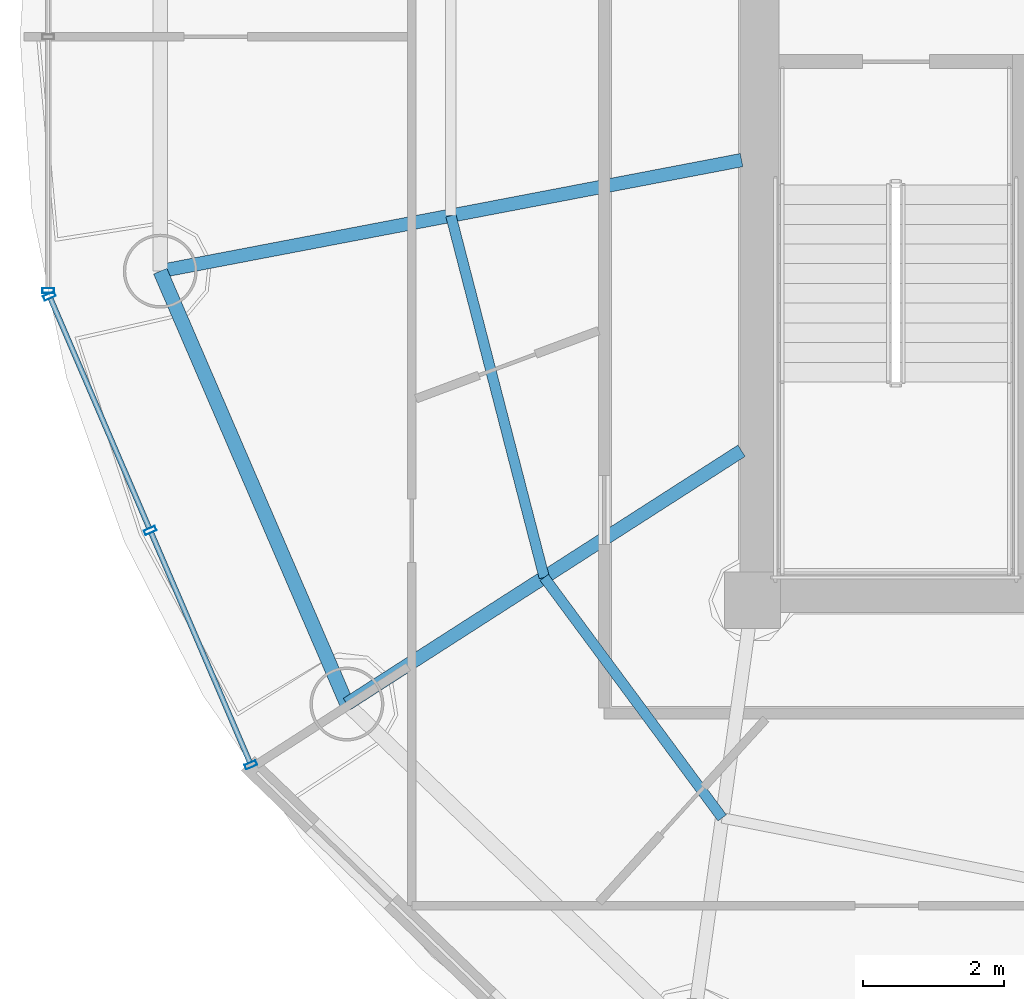
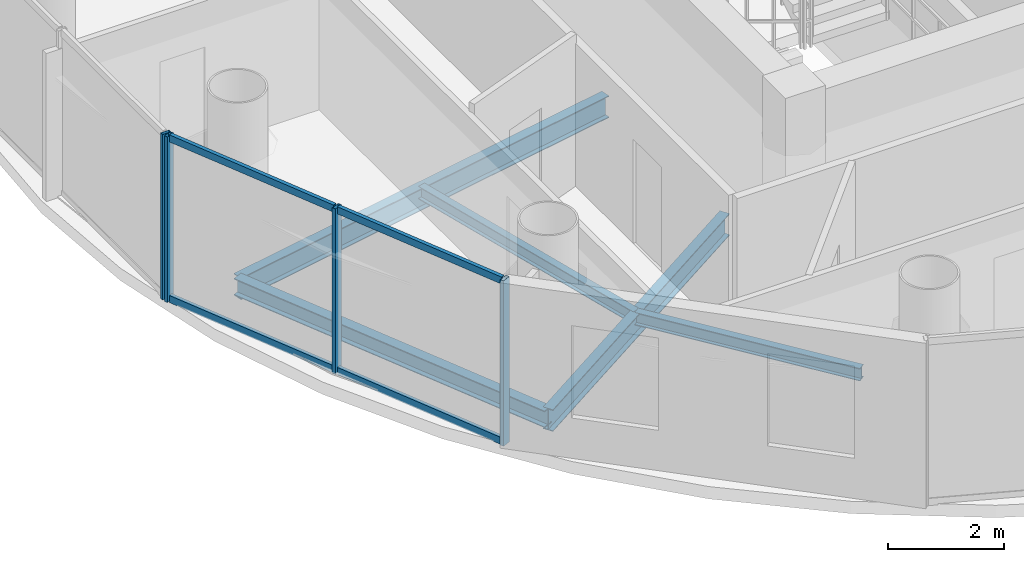
# One storey, part 3 of 21: 8 members, 5 beams, 2 elements without a shape of their own.
"""IFC4 building model written with IfcOpenShell, lengths in metres."""

from ifc_helpers import new_model, si_unit, direction, frame, origin, origin_2d, place, context, subcontext, project, spatial, hollow_rectangle, i_section, extrude, source, transform, mapped, material, material_profile, profile_set, type_object, element, aggregate, save


model = new_model("IFC4")

# Units and contexts
model_context = context("Model", 3, precision=1e-05, world=origin(), true_north=direction((-0.2419218956, 0.970295726276)))
body_context = subcontext(model_context, "Body", "Model", "MODEL_VIEW")
ifc_project = project(units=[si_unit("LENGTHUNIT", "METRE"), si_unit("AREAUNIT", "SQUARE_METRE"), si_unit("VOLUMEUNIT", "CUBIC_METRE"), si_unit("PLANEANGLEUNIT", "RADIAN"), si_unit("MASSUNIT", "GRAM", prefix="KILO")], contexts=[model_context])

# Site, building, storey
site_placement = place(None, origin())
site = spatial("IfcSite", under=ifc_project, at=site_placement, CompositionType="ELEMENT")
building_placement = place(site_placement, origin())
building = spatial("IfcBuilding", under=site, at=building_placement, Name="Cobrevalo Terracotta Tower", CompositionType="ELEMENT")
storey_placement = place(building_placement, frame((0.0, 0.0, 281.949951171875)))
storey = spatial("IfcBuildingStorey", under=building, at=storey_placement, Name="L74", CompositionType="ELEMENT", Elevation=281.949951171875)

# Beams
ifc_material_1 = material(Name="Steel S355", Category="steel")
ifc_material_profile_1 = material_profile(ifc_material_1, i_section(OverallWidth=0.19091796875, OverallDepth=0.4599609375, WebThickness=0.010009765625, FlangeThickness=0.01611328125, at=origin_2d()), Name="W 460x82")
ifc_profile_set_1 = profile_set([ifc_material_profile_1], Name="Steel S355")
beam_type_1 = type_object("IfcBeamType", Name="Structural Beam W 460x82 (Steel S355)", PredefinedType="BEAM", material=ifc_profile_set_1)
beam_1_placement = place(storey_placement, frame((20.591064453125, 23.4736328125, -0.489990234375), z_axis=(0.982229562106, 0.187683476432, 0.0), x_axis=(-0.187683476432, 0.982229562106, 0.0)))
element("IfcBeam", 1, at=beam_1_placement, inside=storey, type_object=beam_type_1, Name="L74 radial floor girder 09", PredefinedType="BEAM", context=body_context, shape_type="SweptSolid", body=[
    extrude(i_section(OverallWidth=0.19091796875, OverallDepth=0.4599609375, WebThickness=0.010009765625, FlangeThickness=0.01611328125, at=origin_2d()), origin(), (0.0, 0.0, 1.0), 8.4033203125),
])
beam_2_placement = place(storey_placement, frame((23.241455078125, 17.32763671875, -0.489990234375), z_axis=(0.84157615512, 0.540138477739, 0.0), x_axis=(-0.540138477739, 0.84157615512, 0.0)))
element("IfcBeam", 2, at=beam_2_placement, inside=storey, type_object=beam_type_1, Name="L74 radial floor girder 10", PredefinedType="BEAM", context=body_context, shape_type="SweptSolid", body=[
    extrude(i_section(OverallWidth=0.19091796875, OverallDepth=0.4599609375, WebThickness=0.010009765625, FlangeThickness=0.01611328125, at=origin_2d()), origin(), (0.0, 0.0, 1.0), 6.658447265625),
])
ifc_material_profile_2 = material_profile(ifc_material_1, i_section(OverallWidth=0.14794921875, OverallDepth=0.26611328125, WebThickness=0.007568359375, FlangeThickness=0.012939453125, at=origin_2d()), Name="W 250x44.8")
ifc_profile_set_2 = profile_set([ifc_material_profile_2], Name="Steel S355")
beam_type_2 = type_object("IfcBeamType", Name="Structural Joist W 250x44.8 (Steel S355)", PredefinedType="JOIST", material=ifc_profile_set_2)
beam_3_placement = place(storey_placement, frame((24.718017578125, 24.26220703125, -0.39306640625), z_axis=(0.249816773293, -0.968293126993, 0.0), x_axis=(0.968293126993, 0.249816773293, 0.0)))
element("IfcBeam", 3, at=beam_3_placement, inside=storey, type_object=beam_type_2, Name="L74 circumferential secondary floor joist 09", PredefinedType="JOIST", context=body_context, shape_type="SweptSolid", body=[
    extrude(i_section(OverallWidth=0.14794921875, OverallDepth=0.26611328125, WebThickness=0.007568359375, FlangeThickness=0.012939453125, at=origin_2d()), origin(), (0.0, 0.0, 1.0), 5.3046875),
])
beam_4_placement = place(storey_placement, frame((26.043212890625, 19.125732421875, -0.39306640625), z_axis=(0.594799916617, -0.803873783123, 0.0), x_axis=(0.803873783123, 0.594799916617, 0.0)))
element("IfcBeam", 4, at=beam_4_placement, inside=storey, type_object=beam_type_2, Name="L74 circumferential secondary floor joist 10", PredefinedType="JOIST", context=body_context, shape_type="SweptSolid", body=[
    extrude(i_section(OverallWidth=0.14794921875, OverallDepth=0.26611328125, WebThickness=0.007568359375, FlangeThickness=0.012939453125, at=origin_2d()), origin(), (0.0, 0.0, 1.0), 4.2470703125),
])
ifc_material_profile_3 = material_profile(ifc_material_1, i_section(OverallWidth=0.205078125, OverallDepth=0.35400390625, WebThickness=0.009521484375, FlangeThickness=0.016845703125, at=origin_2d()), Name="W 360x79")
ifc_profile_set_3 = profile_set([ifc_material_profile_3], Name="Steel S355")
beam_type_3 = type_object("IfcBeamType", Name="Structural Spandrel W 360x79 (Steel S355)", PredefinedType="SPANDREL", material=ifc_profile_set_3)
beam_5_placement = place(storey_placement, frame((20.591064453125, 23.4736328125, -0.43701171875), z_axis=(0.395987390706, -0.918255948198, 0.0), x_axis=(0.918255948198, 0.395987390706, 0.0)))
element("IfcBeam", 5, at=beam_5_placement, inside=storey, type_object=beam_type_3, Name="L74 perimeter ring spandrel 09", PredefinedType="SPANDREL", context=body_context, shape_type="SweptSolid", body=[
    extrude(i_section(OverallWidth=0.205078125, OverallDepth=0.35400390625, WebThickness=0.009521484375, FlangeThickness=0.016845703125, at=origin_2d()), origin(), (0.0, 0.0, 1.0), 6.693115234375),
])

# Curtain wall, member
ifc_material_2 = material(Name="Anodized aluminium", Category="aluminium")
curtain_wall_type = type_object("IfcCurtainWallType", Name="Upper-tower triple-glazed penthouse curtain wall CW-U3", PredefinedType="NOTDEFINED", material=ifc_material_2)
curtain_wall_1_placement = place(storey_placement, origin())
curtain_wall_1 = element("IfcCurtainWall", 6, at=curtain_wall_1_placement, inside=storey, type_object=curtain_wall_type, Name="L74 curtain wall CW-L74-S08", PredefinedType="NOTDEFINED")
ifc_material_profile_4 = material_profile(ifc_material_2, hollow_rectangle(XDim=0.070068359375, YDim=0.169921875, WallThickness=0.00439453125, at=origin_2d()), Name="CWM 70x170")
ifc_profile_set_4 = profile_set([ifc_material_profile_4], Name="Anodized aluminium")
member_type_1 = type_object("IfcMemberType", Name="Upper tower unitised mullion 70x170", PredefinedType="MULLION", material=ifc_profile_set_4)
shared_shape_1 = source(origin(), body_context, "Body", "SweptSolid", [
    extrude(hollow_rectangle(XDim=0.070068359375, YDim=0.169921875, WallThickness=0.00439453125, at=origin_2d()), origin(), (0.0, 0.0, 1.0), 3.489990234375),
])
member_1_placement = place(storey_placement, frame((19.002197265625, 23.19775390625, 0.0), z_axis=(0.0, 0.0, 1.0), x_axis=(0.0, -1.0, 0.0)))
member_1 = element("IfcMember", 7, at=member_1_placement, type_object=member_type_1, Name="CW-L74-S08 vertical mullion 03", PredefinedType="MULLION", context=body_context, shape_type="MappedRepresentation", body=[
    mapped(shared_shape_1, transform((0.0, 0.0, 0.0), scale=1.0)),
])
aggregate(curtain_wall_1, [member_1])

# Curtain wall, members
curtain_wall_2_placement = place(storey_placement, origin())
curtain_wall_2 = element("IfcCurtainWall", 8, at=curtain_wall_2_placement, inside=storey, type_object=curtain_wall_type, Name="L74 curtain wall CW-L74-S09", PredefinedType="NOTDEFINED")
member_2_placement = place(storey_placement, frame((19.01806640625, 23.120849609375, 0.0), z_axis=(0.0, 0.0, 1.0), x_axis=(0.39482403454, -0.91875675875, 0.0)))
member_2 = element("IfcMember", 9, at=member_2_placement, type_object=member_type_1, Name="CW-L74-S09 vertical mullion 01", PredefinedType="MULLION", context=body_context, shape_type="MappedRepresentation", body=[
    mapped(shared_shape_1, transform((0.0, 0.0, 0.0), scale=1.0)),
])
member_3_placement = place(storey_placement, frame((20.4482421875, 19.79248046875, 0.0), z_axis=(0.0, 0.0, 1.0), x_axis=(0.39482403454, -0.91875675875, 0.0)))
member_3 = element("IfcMember", 10, at=member_3_placement, type_object=member_type_1, Name="CW-L74-S09 vertical mullion 02", PredefinedType="MULLION", context=body_context, shape_type="MappedRepresentation", body=[
    mapped(shared_shape_1, transform((0.0, 0.0, 0.0), scale=1.0)),
])
member_4_placement = place(storey_placement, frame((21.878662109375, 16.46435546875, 0.0), z_axis=(0.0, 0.0, 1.0), x_axis=(0.39482403454, -0.91875675875, 0.0)))
member_4 = element("IfcMember", 11, at=member_4_placement, type_object=member_type_1, Name="CW-L74-S09 vertical mullion 03", PredefinedType="MULLION", context=body_context, shape_type="MappedRepresentation", body=[
    mapped(shared_shape_1, transform((0.0, 0.0, 0.0), scale=1.0)),
])
ifc_material_profile_5 = material_profile(ifc_material_2, hollow_rectangle(XDim=0.074951171875, YDim=0.14990234375, WallThickness=0.00439453125, at=origin_2d()), Name="CWT 75x150")
ifc_profile_set_5 = profile_set([ifc_material_profile_5], Name="Anodized aluminium")
member_type_2 = type_object("IfcMemberType", Name="Tower unitised aluminium transom 75x150", PredefinedType="USERDEFINED", material=ifc_profile_set_5)
shared_shape_2 = source(origin(), body_context, "Body", "SweptSolid", [
    extrude(hollow_rectangle(XDim=0.074951171875, YDim=0.14990234375, WallThickness=0.00439453125, at=origin_2d()), origin(), (0.0, 0.0, 1.0), 3.542724609375),
])
member_5_placement = place(storey_placement, frame((19.03369140625, 23.084228515625, 0.050048828125), z_axis=(0.394867226589, -0.918738196314, 0.0), x_axis=(0.918738196314, 0.394867226589, 0.0)))
member_5 = element("IfcMember", 12, at=member_5_placement, type_object=member_type_2, Name="CW-L74-S09 transom B01-T1", ObjectType="TRANSOM", PredefinedType="USERDEFINED", context=body_context, shape_type="MappedRepresentation", body=[
    mapped(shared_shape_2, transform((0.0, 0.0, 0.0), scale=1.0)),
])
member_6_placement = place(storey_placement, frame((19.03369140625, 23.084228515625, 3.43994140625), z_axis=(0.394867226589, -0.918738196314, 0.0), x_axis=(0.918738196314, 0.394867226589, 0.0)))
member_6 = element("IfcMember", 13, at=member_6_placement, type_object=member_type_2, Name="CW-L74-S09 transom B01-T2", ObjectType="TRANSOM", PredefinedType="USERDEFINED", context=body_context, shape_type="MappedRepresentation", body=[
    mapped(shared_shape_2, transform((0.0, 0.0, 0.0), scale=1.0)),
])
member_7_placement = place(storey_placement, frame((20.464111328125, 19.755859375, 0.050048828125), z_axis=(0.394809056766, -0.918763195114, 0.0), x_axis=(0.918763195114, 0.394809056766, 0.0)))
member_7 = element("IfcMember", 14, at=member_7_placement, type_object=member_type_2, Name="CW-L74-S09 transom B02-T1", ObjectType="TRANSOM", PredefinedType="USERDEFINED", context=body_context, shape_type="MappedRepresentation", body=[
    mapped(shared_shape_2, transform((0.0, 0.0, 0.0), scale=1.0)),
])
member_8_placement = place(storey_placement, frame((20.464111328125, 19.755859375, 3.43994140625), z_axis=(0.394809056766, -0.918763195114, 0.0), x_axis=(0.918763195114, 0.394809056766, 0.0)))
member_8 = element("IfcMember", 15, at=member_8_placement, type_object=member_type_2, Name="CW-L74-S09 transom B02-T2", ObjectType="TRANSOM", PredefinedType="USERDEFINED", context=body_context, shape_type="MappedRepresentation", body=[
    mapped(shared_shape_2, transform((0.0, 0.0, 0.0), scale=1.0)),
])
aggregate(curtain_wall_2, [member_2, member_3, member_4, member_5, member_6, member_7, member_8])

save(model, "model.ifc")
